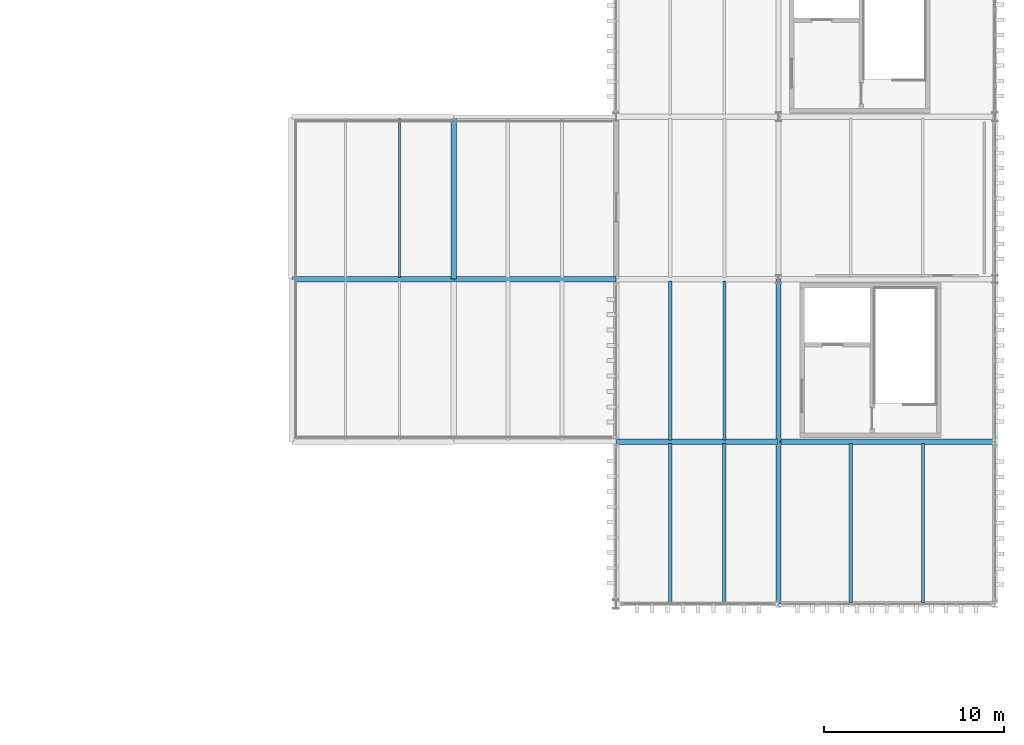
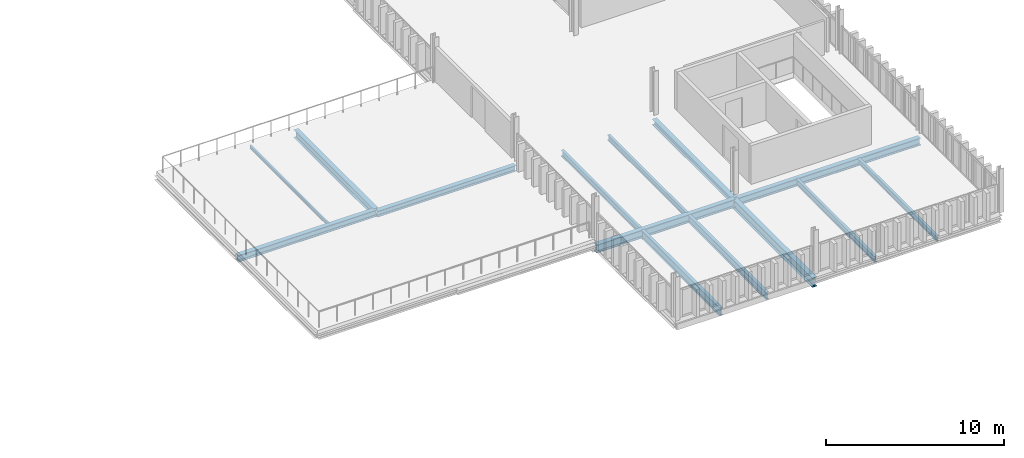
# One storey, part 16 of 58: 14 beams.
"""IFC4 building model written with IfcOpenShell, lengths in metres."""

import ifcopenshell
import ifcopenshell.guid

model = None  # the IFC model being written
_history = None  # IfcOwnerHistory: only IFC2X3 demands one
_inside = {}  # id of a spatial element -> (the spatial element, [elements in it])
_under = {}  # id of a project, library or spatial element -> (it, [spatial elements below it])
_declared = {}  # id of a project -> (the project, [libraries it declares])
_typed = {}  # id of a type object -> (the type object, [elements of that type])
_made_of = {}  # id of a material, layer set ... -> (it, [elements and type objects made of it])


def new_model(schema):
    """Start an empty IFC model of exactly this schema.

    Asked for "IFC4X3", IfcOpenShell would pick the latest addendum, in which some entities
    have other attributes; the version numbers below select the first issue.
    IFC2X3 requires an IfcOwnerHistory on every rooted entity: one is made here for all.
    """
    global model, _history
    if schema == "IFC4X3":
        model = ifcopenshell.file(schema_version=(4, 3, 0, 0))
    else:
        model = ifcopenshell.file(schema=schema)
    _inside.clear()
    _under.clear()
    _declared.clear()
    _typed.clear()
    _made_of.clear()
    _history = None
    if model.schema == "IFC2X3":
        org = make("IfcOrganization", Name="unknown")
        user = make(
            "IfcPersonAndOrganization",
            ThePerson=make("IfcPerson", FamilyName="unknown"),
            TheOrganization=org,
        )
        app = make(
            "IfcApplication",
            ApplicationDeveloper=org,
            Version="unknown",
            ApplicationFullName="unknown",
            ApplicationIdentifier="unknown",
        )
        _history = make(
            "IfcOwnerHistory",
            OwningUser=user,
            OwningApplication=app,
            ChangeAction="ADDED",
            CreationDate=0,
        )
    return model


def make(cls, **values):
    """One entity of the class cls with the attributes given. An attribute that is None is left unset."""
    return model.create_entity(
        cls, **{name: value for name, value in values.items() if value is not None}
    )


def rooted(cls, **values):
    """An entity with a GlobalId (a new one), such as an element, a storey or a relation."""
    return make(cls, GlobalId=ifcopenshell.guid.new(), OwnerHistory=_history, **values)


def si_unit(unit_type, name, prefix=None):
    """IfcSIUnit, for example si_unit("LENGTHUNIT", "METRE", prefix="MILLI")."""
    return make("IfcSIUnit", UnitType=unit_type, Prefix=prefix, Name=name)


def assignment(units):
    """IfcUnitAssignment: the units of a project."""
    return None if units is None else make("IfcUnitAssignment", Units=units)


def point(xyz):
    """IfcCartesianPoint."""
    return None if xyz is None else make("IfcCartesianPoint", Coordinates=xyz)


def direction(xyz):
    """IfcDirection."""
    return None if xyz is None else make("IfcDirection", DirectionRatios=xyz)


def frame(location, z_axis=None, x_axis=None):
    """IfcAxis2Placement3D, a coordinate frame: its origin and axes. An axis left out is left unset."""
    return make(
        "IfcAxis2Placement3D",
        Location=point(location),
        Axis=direction(z_axis),
        RefDirection=direction(x_axis),
    )


def frame_2d(location, x_axis=None):
    """IfcAxis2Placement2D, a coordinate frame in the plane: its origin and x axis."""
    return make(
        "IfcAxis2Placement2D", Location=point(location), RefDirection=direction(x_axis)
    )


def origin():
    """The frame at (0, 0, 0) with its axes left unset."""
    return frame((0.0, 0.0, 0.0))


def origin_2d():
    """The frame at (0, 0) in the plane with its x axis left unset."""
    return frame_2d((0.0, 0.0))


def place(relative_to, where):
    """IfcLocalPlacement: puts the frame where relative to a parent placement (None: the world)."""
    return make(
        "IfcLocalPlacement", PlacementRelTo=relative_to, RelativePlacement=where
    )


def context(
    kind, dimensions, precision=None, world=None, true_north=None, identifier=None
):
    """IfcGeometricRepresentationContext, for example the 3D "Model" context."""
    return make(
        "IfcGeometricRepresentationContext",
        ContextIdentifier=identifier,
        ContextType=kind,
        CoordinateSpaceDimension=dimensions,
        Precision=precision,
        WorldCoordinateSystem=world,
        TrueNorth=true_north,
    )


def subcontext(parent, identifier, kind, view, scale=None):
    """IfcGeometricRepresentationSubContext, for example "Body" below "Model"."""
    return make(
        "IfcGeometricRepresentationSubContext",
        ContextIdentifier=identifier,
        ContextType=kind,
        ParentContext=parent,
        TargetScale=scale,
        TargetView=view,
    )


def project(units=None, contexts=None):
    """IfcProject with its units and contexts."""
    return rooted(
        "IfcProject",
        Name="project",
        RepresentationContexts=contexts,
        UnitsInContext=assignment(units),
    )


def spatial(cls, under=None, at=None, **own):
    """A site, building, storey or space (cls), placed at a placement, below another one or the project."""
    s = rooted(cls, ObjectPlacement=at, **own)
    if under is not None:
        _under.setdefault(under.id(), (under, []))[1].append(s)
    return s


def profile(cls, at=None, kind="AREA", **sizes):
    """A parametric profile (cls). Its sizes go by their IFC names, for example OverallWidth=200.0."""
    return make(cls, ProfileType=kind, Position=at, **sizes)


def i_section(**sizes):
    """IfcIShapeProfileDef."""
    return profile("IfcIShapeProfileDef", **sizes)


def extrude(swept, where, along, depth):
    """IfcExtrudedAreaSolid: the profile swept, set in the frame where, extruded along a direction by depth."""
    return make(
        "IfcExtrudedAreaSolid",
        SweptArea=swept,
        Position=where,
        ExtrudedDirection=direction(along),
        Depth=depth,
    )


def shape(context_of_items, identifier, shape_type, items):
    """IfcShapeRepresentation: the items that make up one representation, for example the "Body"."""
    return make(
        "IfcShapeRepresentation",
        ContextOfItems=context_of_items,
        RepresentationIdentifier=identifier,
        RepresentationType=shape_type,
        Items=items,
    )


def material(Name=None, Category=None):
    """IfcMaterial."""
    return make("IfcMaterial", Name=Name, Category=Category)


def material_profile(
    of_material, cross_section, Name=None, Category=None, Priority=None
):
    """IfcMaterialProfile: a cross section and its material."""
    return make(
        "IfcMaterialProfile",
        Name=Name,
        Material=of_material,
        Profile=cross_section,
        Priority=Priority,
        Category=Category,
    )


def profile_set(profiles, Name=None, composite=None):
    """IfcMaterialProfileSet."""
    return make(
        "IfcMaterialProfileSet",
        Name=Name,
        MaterialProfiles=profiles,
        CompositeProfile=composite,
    )


def made_of(thing, what):
    """Note that an element or type object is made of a material, layer set ...; save() writes the relation."""
    if what is not None:
        _made_of.setdefault(what.id(), (what, []))[1].append(thing)
    return thing


def type_object(cls, material=None, **own):
    """A type object (cls), such as IfcWallType, which elements share."""
    return made_of(rooted(cls, **own), material)


def element(
    cls,
    number,
    at=None,
    inside=None,
    cuts=None,
    type_object=None,
    material=None,
    context=None,
    identifier="Body",
    shape_type=None,
    held_by="IfcProductDefinitionShape",
    body=None,
    shapes=None,
    **own,
):
    """One element of the class cls, such as IfcWall. Its Tag is "e" and its number.

    at: its placement. inside: the storey or other place that contains it. cuts: it is an
    opening in that element (IfcRelVoidsElement). A single representation is given by context,
    identifier, shape_type and body (its items); several are given by shapes. held_by: the class
    of the entity that holds the representations. save() writes the other relations.
    """
    e = rooted(cls, Tag="e%d" % number, ObjectPlacement=at, **own)
    if body is not None:
        shapes = [shape(context, identifier, shape_type, body)]
    if shapes is not None:
        e.Representation = make(held_by, Representations=shapes)
    if inside is not None:
        _inside.setdefault(inside.id(), (inside, []))[1].append(e)
    if cuts is not None:
        rooted(
            "IfcRelVoidsElement", RelatingBuildingElement=cuts, RelatedOpeningElement=e
        )
    if type_object is not None:
        _typed.setdefault(type_object.id(), (type_object, []))[1].append(e)
    return made_of(e, material)


def aggregate(whole, parts):
    """IfcRelAggregates: a whole, such as a stair, and the parts it consists of."""
    return rooted("IfcRelAggregates", RelatingObject=whole, RelatedObjects=parts)


def save(model, path):
    """Write the relations noted so far, then the file.

    IfcRelAggregates (storeys below a building ...), IfcRelContainedInSpatialStructure (elements
    in a storey), IfcRelDefinesByType, IfcRelAssociatesMaterial and IfcRelDeclares: one each for
    every whole, place, type object, material and project.
    """
    for whole, parts in _under.values():
        aggregate(whole, parts)
    for where, things in _inside.values():
        rooted(
            "IfcRelContainedInSpatialStructure",
            RelatedElements=things,
            RelatingStructure=where,
        )
    for kind, things in _typed.values():
        rooted("IfcRelDefinesByType", RelatedObjects=things, RelatingType=kind)
    for what, things in _made_of.values():
        rooted("IfcRelAssociatesMaterial", RelatedObjects=things, RelatingMaterial=what)
    for by, libraries in _declared.values():
        rooted("IfcRelDeclares", RelatingContext=by, RelatedDefinitions=libraries)
    model.write(path)


model = new_model("IFC4")

# Units and contexts
model_context = context("Model", 3, precision=1e-05, world=origin(), true_north=direction((0.0, 1.0)))
body_context = subcontext(model_context, "Body", "Model", "MODEL_VIEW")
ifc_project = project(units=[si_unit("LENGTHUNIT", "METRE"), si_unit("AREAUNIT", "SQUARE_METRE"), si_unit("VOLUMEUNIT", "CUBIC_METRE"), si_unit("PLANEANGLEUNIT", "RADIAN"), si_unit("MASSUNIT", "GRAM", prefix="KILO")], contexts=[model_context])

# Site, building, storey
site_placement = place(None, origin())
site = spatial("IfcSite", under=ifc_project, at=site_placement, CompositionType="ELEMENT")
building_placement = place(site_placement, origin())
building = spatial("IfcBuilding", under=site, at=building_placement, Name="Barlavento Convention Centre", CompositionType="ELEMENT")
storey_placement = place(building_placement, frame((0.0, 0.0, 26.800048828125)))
storey = spatial("IfcBuildingStorey", under=building, at=storey_placement, Name="L05", CompositionType="ELEMENT", Elevation=26.800048828125)

# Beams
ifc_material = material(Name="Steel S355", Category="steel")
ifc_material_profile_1 = material_profile(ifc_material, i_section(OverallWidth=0.110107421875, OverallDepth=0.219970703125, WebThickness=0.005859375, FlangeThickness=0.00927734375, FilletRadius=0.011962890625, at=origin_2d()), Name="IPE 220")
ifc_profile_set_1 = profile_set([ifc_material_profile_1], Name="Steel S355")
beam_type_1 = type_object("IfcBeamType", Name="STR-BM-JST-IPE220", PredefinedType="JOIST", material=ifc_profile_set_1)
beam_1_placement = place(storey_placement, frame((159.0, 45.094970703125, -0.35009765625), z_axis=(0.0, 1.0, 0.0), x_axis=(-1.0, 0.0, 0.0)))
element("IfcBeam", 1, at=beam_1_placement, inside=storey, type_object=beam_type_1, Name="L05 composite floor joist SJ10", PredefinedType="JOIST", context=body_context, shape_type="SweptSolid", body=[
    extrude(i_section(OverallWidth=0.110107421875, OverallDepth=0.219970703125, WebThickness=0.005859375, FlangeThickness=0.00927734375, FilletRadius=0.011962890625, at=origin_2d()), origin(), (0.0, 0.0, 1.0), 8.81005859375),
])
ifc_material_profile_2 = material_profile(ifc_material, i_section(OverallWidth=0.169921875, OverallDepth=0.360107421875, WebThickness=0.008056640625, FlangeThickness=0.0126953125, FilletRadius=0.01806640625, at=origin_2d()), Name="IPE 360")
ifc_profile_set_2 = profile_set([ifc_material_profile_2], Name="Steel S355")
beam_type_2 = type_object("IfcBeamType", Name="STR-BM-JST-IPE360", PredefinedType="JOIST", material=ifc_profile_set_2)
for number, where, z_axis, x_axis, name in (
    (2, (188.0, 27.094970703125, -0.5400390625), (0.0, 1.0, 0.0), (-1.0, 0.0, 0.0), "L05 composite floor joist SJ05"),
    (3, (177.0, 36.094970703125, -0.5400390625), (0.0, 1.0, 0.0), (-1.0, 0.0, 0.0), "L05 composite floor joist SJ05"),
):
    element("IfcBeam", number, at=place(storey_placement, frame(where, z_axis=z_axis, x_axis=x_axis)), inside=storey, type_object=beam_type_2, Name=name, PredefinedType="JOIST", context=body_context, shape_type="SweptSolid", body=[
        extrude(i_section(OverallWidth=0.169921875, OverallDepth=0.360107421875, WebThickness=0.008056640625, FlangeThickness=0.0126953125, FilletRadius=0.01806640625, at=origin_2d()), origin(), (0.0, 0.0, 1.0), 8.81005859375),
    ])
ifc_material_profile_3 = material_profile(ifc_material, i_section(OverallWidth=0.179931640625, OverallDepth=0.39990234375, WebThickness=0.008544921875, FlangeThickness=0.013427734375, FilletRadius=0.02099609375, at=origin_2d()), Name="IPE 400")
ifc_profile_set_3 = profile_set([ifc_material_profile_3], Name="Steel S355")
beam_type_3 = type_object("IfcBeamType", Name="STR-BM-JST-IPE400", PredefinedType="JOIST", material=ifc_profile_set_3)
for number, where, z_axis, x_axis, name in (
    (4, (184.0, 27.094970703125, -0.56005859375), (0.0, 1.0, 0.0), (-1.0, 0.0, 0.0), "L05 composite floor joist SJ04"),
    (5, (174.0, 36.094970703125, -0.56005859375), (0.0, 1.0, 0.0), (-1.0, 0.0, 0.0), "L05 composite floor joist SJ04"),
):
    element("IfcBeam", number, at=place(storey_placement, frame(where, z_axis=z_axis, x_axis=x_axis)), inside=storey, type_object=beam_type_3, Name=name, PredefinedType="JOIST", context=body_context, shape_type="SweptSolid", body=[
        extrude(i_section(OverallWidth=0.179931640625, OverallDepth=0.39990234375, WebThickness=0.008544921875, FlangeThickness=0.013427734375, FilletRadius=0.02099609375, at=origin_2d()), origin(), (0.0, 0.0, 1.0), 8.81005859375),
    ])
ifc_material_profile_4 = material_profile(ifc_material, i_section(OverallWidth=0.199951171875, OverallDepth=0.5, WebThickness=0.01025390625, FlangeThickness=0.01611328125, FilletRadius=0.02099609375, at=origin_2d()), Name="IPE 500")
ifc_profile_set_4 = profile_set([ifc_material_profile_4], Name="Steel S355")
beam_type_4 = type_object("IfcBeamType", Name="STR-BM-JST-IPE500", PredefinedType="JOIST", material=ifc_profile_set_4)
beam_2_placement = place(storey_placement, frame((177.0, 27.094970703125, -0.610107421875), z_axis=(0.0, 1.0, 0.0), x_axis=(-1.0, 0.0, 0.0)))
element("IfcBeam", 6, at=beam_2_placement, inside=storey, type_object=beam_type_4, Name="L05 composite floor joist SJ02", PredefinedType="JOIST", context=body_context, shape_type="SweptSolid", body=[
    extrude(i_section(OverallWidth=0.199951171875, OverallDepth=0.5, WebThickness=0.01025390625, FlangeThickness=0.01611328125, FilletRadius=0.02099609375, at=origin_2d()), origin(), (0.0, 0.0, 1.0), 8.81005859375),
])
ifc_material_profile_5 = material_profile(ifc_material, i_section(OverallWidth=0.2099609375, OverallDepth=0.550048828125, WebThickness=0.010986328125, FlangeThickness=0.01708984375, FilletRadius=0.02392578125, at=origin_2d()), Name="IPE 550")
ifc_profile_set_5 = profile_set([ifc_material_profile_5], Name="Steel S355")
beam_type_5 = type_object("IfcBeamType", Name="STR-BM-JST-IPE550", PredefinedType="JOIST", material=ifc_profile_set_5)
beam_3_placement = place(storey_placement, frame((174.0, 27.094970703125, -0.635009765625), z_axis=(0.0, 1.0, 0.0), x_axis=(-1.0, 0.0, 0.0)))
element("IfcBeam", 7, at=beam_3_placement, inside=storey, type_object=beam_type_5, Name="L05 composite floor joist SJ01", PredefinedType="JOIST", context=body_context, shape_type="SweptSolid", body=[
    extrude(i_section(OverallWidth=0.2099609375, OverallDepth=0.550048828125, WebThickness=0.010986328125, FlangeThickness=0.01708984375, FilletRadius=0.02392578125, at=origin_2d()), origin(), (0.0, 0.0, 1.0), 8.81005859375),
])
ifc_material_profile_6 = material_profile(ifc_material, i_section(OverallWidth=0.300048828125, OverallDepth=0.389892578125, WebThickness=0.010986328125, FlangeThickness=0.01904296875, FilletRadius=0.027099609375, at=origin_2d()), Name="HEA 400")
ifc_profile_set_6 = profile_set([ifc_material_profile_6], Name="Steel S355")
beam_type_6 = type_object("IfcBeamType", Name="STR-BM-PRI-HEA400", PredefinedType="BEAM", material=ifc_profile_set_6)
beam_4_placement = place(storey_placement, frame((180.0, 36.02001953125, -0.554931640625), z_axis=(0.0, 1.0, 0.0), x_axis=(-1.0, 0.0, 0.0)))
element("IfcBeam", 8, at=beam_4_placement, inside=storey, type_object=beam_type_6, Name="L05 grid girder BG22", PredefinedType="BEAM", context=body_context, shape_type="SweptSolid", body=[
    extrude(i_section(OverallWidth=0.300048828125, OverallDepth=0.389892578125, WebThickness=0.010986328125, FlangeThickness=0.01904296875, FilletRadius=0.027099609375, at=origin_2d()), origin(), (0.0, 0.0, 1.0), 8.9599609375),
])
ifc_material_profile_7 = material_profile(ifc_material, i_section(OverallWidth=0.300048828125, OverallDepth=0.5400390625, WebThickness=0.012451171875, FlangeThickness=0.02392578125, FilletRadius=0.027099609375, at=origin_2d()), Name="HEA 550")
ifc_profile_set_7 = profile_set([ifc_material_profile_7], Name="Steel S355")
beam_type_7 = type_object("IfcBeamType", Name="STR-BM-PRI-HEA550", PredefinedType="BEAM", material=ifc_profile_set_7)
beam_5_placement = place(storey_placement, frame((162.0, 45.02001953125, -0.510009765625), z_axis=(0.0, 1.0, 0.0), x_axis=(-1.0, 0.0, 0.0)))
element("IfcBeam", 9, at=beam_5_placement, inside=storey, type_object=beam_type_7, Name="L05 grid girder BG19", PredefinedType="BEAM", context=body_context, shape_type="SweptSolid", body=[
    extrude(i_section(OverallWidth=0.300048828125, OverallDepth=0.5400390625, WebThickness=0.012451171875, FlangeThickness=0.02392578125, FilletRadius=0.027099609375, at=origin_2d()), origin(), (0.0, 0.0, 1.0), 8.9599609375),
])
ifc_material_profile_8 = material_profile(ifc_material, i_section(OverallWidth=0.300048828125, OverallDepth=0.639892578125, WebThickness=0.013427734375, FlangeThickness=0.02587890625, FilletRadius=0.027099609375, at=origin_2d()), Name="HEA 650")
ifc_profile_set_8 = profile_set([ifc_material_profile_8], Name="Steel S355")
beam_type_8 = type_object("IfcBeamType", Name="STR-BM-PRI-HEA650", PredefinedType="BEAM", material=ifc_profile_set_8)
beam_6_placement = place(storey_placement, frame((180.0, 27.02001953125, -0.679931640625), z_axis=(0.0, 1.0, 0.0), x_axis=(-1.0, 0.0, 0.0)))
element("IfcBeam", 10, at=beam_6_placement, inside=storey, type_object=beam_type_8, Name="L05 grid girder BG17", PredefinedType="BEAM", context=body_context, shape_type="SweptSolid", body=[
    extrude(i_section(OverallWidth=0.300048828125, OverallDepth=0.639892578125, WebThickness=0.013427734375, FlangeThickness=0.02587890625, FilletRadius=0.027099609375, at=origin_2d()), origin(), (0.0, 0.0, 1.0), 8.9599609375),
])
ifc_material_profile_9 = material_profile(ifc_material, i_section(OverallWidth=0.300048828125, OverallDepth=0.39990234375, WebThickness=0.013427734375, FlangeThickness=0.02392578125, FilletRadius=0.027099609375, at=origin_2d()), Name="HEB 400")
ifc_profile_set_9 = profile_set([ifc_material_profile_9], Name="Steel S355")
beam_type_9 = type_object("IfcBeamType", Name="STR-BM-PRI-HEB400", PredefinedType="BEAM", material=ifc_profile_set_9)
beam_7_placement = place(storey_placement, frame((162.02001953125, 45.0, -0.56005859375), z_axis=(1.0, 0.0, 0.0), x_axis=(0.0, 1.0, 0.0)))
element("IfcBeam", 11, at=beam_7_placement, inside=storey, type_object=beam_type_9, Name="L05 primary girder BG11", PredefinedType="BEAM", context=body_context, shape_type="SweptSolid", body=[
    extrude(i_section(OverallWidth=0.300048828125, OverallDepth=0.39990234375, WebThickness=0.013427734375, FlangeThickness=0.02392578125, FilletRadius=0.027099609375, at=origin_2d()), origin(), (0.0, 0.0, 1.0), 8.9599609375),
])
ifc_material_profile_10 = material_profile(ifc_material, i_section(OverallWidth=0.300048828125, OverallDepth=0.449951171875, WebThickness=0.013916015625, FlangeThickness=0.02587890625, FilletRadius=0.027099609375, at=origin_2d()), Name="HEB 450")
ifc_profile_set_10 = profile_set([ifc_material_profile_10], Name="Steel S355")
beam_type_10 = type_object("IfcBeamType", Name="STR-BM-PRI-HEB450", PredefinedType="BEAM", material=ifc_profile_set_10)
beam_8_placement = place(storey_placement, frame((153.02001953125, 45.0, -0.465087890625), z_axis=(1.0, 0.0, 0.0), x_axis=(0.0, 1.0, 0.0)))
element("IfcBeam", 12, at=beam_8_placement, inside=storey, type_object=beam_type_10, Name="L05 primary girder BG10", PredefinedType="BEAM", context=body_context, shape_type="SweptSolid", body=[
    extrude(i_section(OverallWidth=0.300048828125, OverallDepth=0.449951171875, WebThickness=0.013916015625, FlangeThickness=0.02587890625, FilletRadius=0.027099609375, at=origin_2d()), origin(), (0.0, 0.0, 1.0), 8.9599609375),
])
ifc_material_profile_11 = material_profile(ifc_material, i_section(OverallWidth=0.300048828125, OverallDepth=0.5, WebThickness=0.014404296875, FlangeThickness=0.028076171875, FilletRadius=0.027099609375, at=origin_2d()), Name="HEB 500")
ifc_profile_set_11 = profile_set([ifc_material_profile_11], Name="Steel S355")
beam_type_11 = type_object("IfcBeamType", Name="STR-BM-PRI-HEB500", PredefinedType="BEAM", material=ifc_profile_set_11)
beam_9_placement = place(storey_placement, frame((180.02001953125, 36.0, -0.610107421875), z_axis=(1.0, 0.0, 0.0), x_axis=(0.0, 1.0, 0.0)))
element("IfcBeam", 13, at=beam_9_placement, inside=storey, type_object=beam_type_11, Name="L05 primary girder BG09", PredefinedType="BEAM", context=body_context, shape_type="SweptSolid", body=[
    extrude(i_section(OverallWidth=0.300048828125, OverallDepth=0.5, WebThickness=0.014404296875, FlangeThickness=0.028076171875, FilletRadius=0.027099609375, at=origin_2d()), origin(), (0.0, 0.0, 1.0), 11.9599609375),
])
ifc_material_profile_12 = material_profile(ifc_material, i_section(OverallWidth=0.300048828125, OverallDepth=0.550048828125, WebThickness=0.014892578125, FlangeThickness=0.029052734375, FilletRadius=0.027099609375, at=origin_2d()), Name="HEB 550")
ifc_profile_set_12 = profile_set([ifc_material_profile_12], Name="Steel S355")
beam_type_12 = type_object("IfcBeamType", Name="STR-BM-PRI-HEB550", PredefinedType="BEAM", material=ifc_profile_set_12)
beam_10_placement = place(storey_placement, frame((171.02001953125, 36.0, -0.635009765625), z_axis=(1.0, 0.0, 0.0), x_axis=(0.0, 1.0, 0.0)))
element("IfcBeam", 14, at=beam_10_placement, inside=storey, type_object=beam_type_12, Name="L05 primary girder BG08", PredefinedType="BEAM", context=body_context, shape_type="SweptSolid", body=[
    extrude(i_section(OverallWidth=0.300048828125, OverallDepth=0.550048828125, WebThickness=0.014892578125, FlangeThickness=0.029052734375, FilletRadius=0.027099609375, at=origin_2d()), origin(), (0.0, 0.0, 1.0), 8.9599609375),
])

save(model, "model.ifc")
